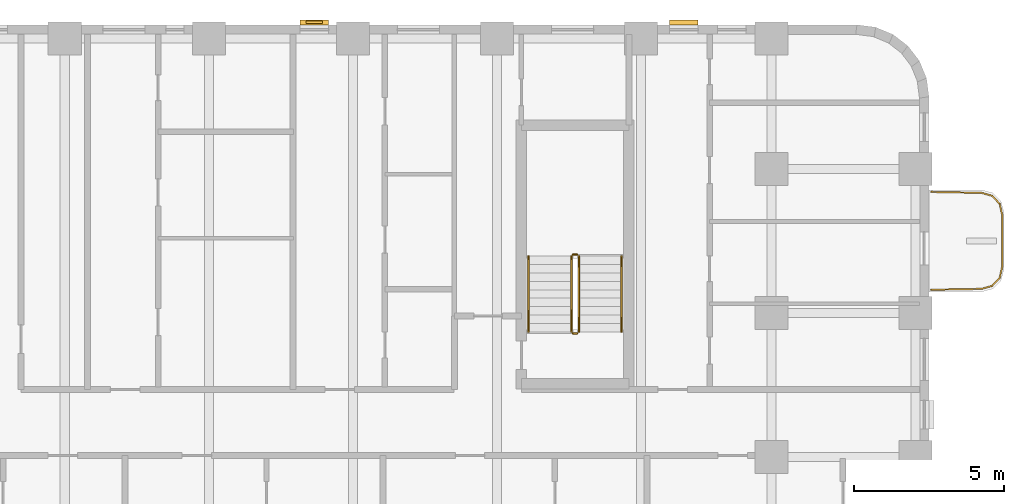
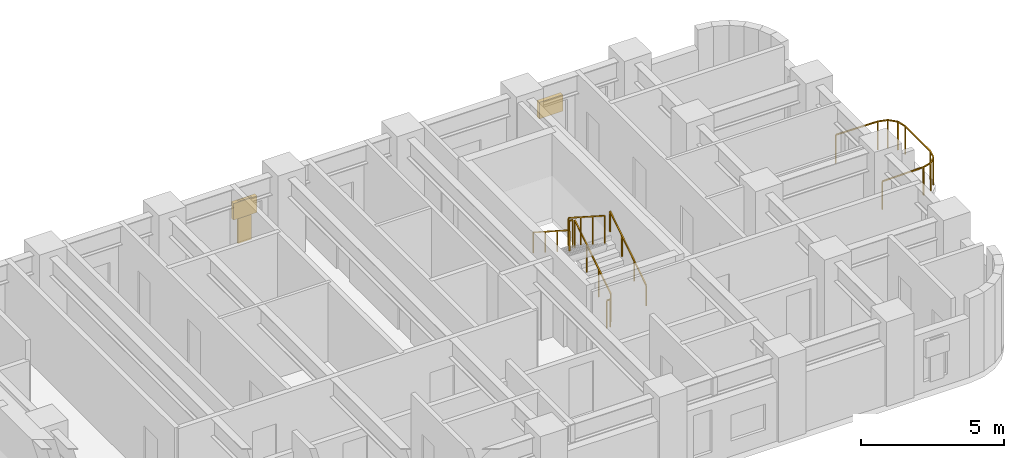
# One storey, part 11 of 11: 7 railings, 3 shading devices.
"""IFC4 building model written with IfcOpenShell, lengths in metres."""

from ifc_helpers import new_model, si_unit, direction, frame, origin, origin_2d, place, context, subcontext, project, spatial, rectangle, extrude, material, type_object, element, save


model = new_model("IFC4")

# Units and contexts
model_context = context("Model", 3, precision=1e-05, world=origin(), true_north=direction((0.0, 1.0)))
body_context = subcontext(model_context, "Body", "Model", "MODEL_VIEW")
ifc_project = project(units=[si_unit("LENGTHUNIT", "METRE"), si_unit("AREAUNIT", "SQUARE_METRE"), si_unit("VOLUMEUNIT", "CUBIC_METRE"), si_unit("PLANEANGLEUNIT", "RADIAN"), si_unit("MASSUNIT", "GRAM", prefix="KILO")], contexts=[model_context])

# Site, building, storey
site_placement = place(None, origin())
site = spatial("IfcSite", under=ifc_project, at=site_placement, CompositionType="ELEMENT")
building_placement = place(site_placement, origin())
building = spatial("IfcBuilding", under=site, at=building_placement, Name="Orvandelia Arch Residences", CompositionType="ELEMENT")
storey_placement = place(building_placement, frame((0.0, 0.0, 86.199951171875)))
storey = spatial("IfcBuildingStorey", under=building, at=storey_placement, Name="L22", CompositionType="ELEMENT", Elevation=86.199951171875)

# Railings
ifc_material_1 = material(Name="Marine-Grade Stainless Steel 316", Category="steel")
railing_type_1 = type_object("IfcRailingType", Name="GRD-BAL-1200", PredefinedType="BALUSTRADE", material=ifc_material_1)
railing_1_placement = place(storey_placement, frame((57.671875, 39.169677734375, 0.0)))
element("IfcRailing", 1, at=railing_1_placement, inside=storey, type_object=railing_type_1, Name="Safety Balustrade Guard GRD-L22-BAL-L22-E1-1", PredefinedType="BALUSTRADE", context=body_context, shape_type="SweptSolid", body=[
    extrude(rectangle(XDim=0.048095703125, YDim=0.048095703125, at=origin_2d()), frame((0.0, 0.0, 1.19580078125), z_axis=(0.999837384468, 0.018033430643, 0.0), x_axis=(-0.018033430643, 0.999837384468, 0.0)), (0.0, 0.0, 1.0), 1.6787109375),
    extrude(rectangle(XDim=0.048095703125, YDim=0.048095703125, at=origin_2d()), frame((1.678466796875, 0.0302734375, 1.19580078125), z_axis=(0.963441293861, 0.267919527627, 0.0), x_axis=(-0.267919527627, 0.963441293861, 0.0)), (0.0, 0.0, 1.0), 0.365478515625),
    extrude(rectangle(XDim=0.048095703125, YDim=0.048095703125, at=origin_2d()), frame((2.030517578125, 0.128173828125, 1.19580078125), z_axis=(0.688296224633, 0.725429739642, 0.0), x_axis=(-0.725429739642, 0.688296224633, 0.0)), (0.0, 0.0, 1.0), 0.3681640625),
    extrude(rectangle(XDim=0.048095703125, YDim=0.048095703125, at=origin_2d()), frame((2.283935546875, 0.395263671875, 1.19580078125), z_axis=(0.221225034864, 0.975222786828, 0.0), x_axis=(-0.975222786828, 0.221225034864, 0.0)), (0.0, 0.0, 1.0), 0.373046875),
    extrude(rectangle(XDim=0.048095703125, YDim=0.048095703125, at=origin_2d()), frame((2.366455078125, 0.759033203125, 1.19580078125), z_axis=(0.0, 1.0, 0.0), x_axis=(-1.0, 0.0, 0.0)), (0.0, 0.0, 1.0), 1.74267578125),
    extrude(rectangle(XDim=0.048095703125, YDim=0.048095703125, at=origin_2d()), frame((2.366455078125, 2.501708984375, 1.19580078125), z_axis=(-0.221225034864, 0.975222786828, 0.0), x_axis=(-0.975222786828, -0.221225034864, 0.0)), (0.0, 0.0, 1.0), 0.373046875),
    extrude(rectangle(XDim=0.048095703125, YDim=0.048095703125, at=origin_2d()), frame((2.283935546875, 2.865478515625, 1.19580078125), z_axis=(-0.688627404251, 0.725115368831, 0.0), x_axis=(-0.725115368831, -0.688627404251, 0.0)), (0.0, 0.0, 1.0), 0.367919921875),
    extrude(rectangle(XDim=0.048095703125, YDim=0.048095703125, at=origin_2d()), frame((2.030517578125, 3.13232421875, 1.19580078125), z_axis=(-0.963441293861, 0.267919527627, 0.0), x_axis=(-0.267919527627, -0.963441293861, 0.0)), (0.0, 0.0, 1.0), 0.365478515625),
    extrude(rectangle(XDim=0.048095703125, YDim=0.048095703125, at=origin_2d()), frame((1.678466796875, 3.230224609375, 1.19580078125), z_axis=(-0.999834751713, 0.018178813668, 0.0), x_axis=(-0.018178813668, -0.999834751713, 0.0)), (0.0, 0.0, 1.0), 1.6787109375),
    extrude(rectangle(XDim=0.0419921875, YDim=0.0419921875, at=origin_2d()), origin(), (0.0, 0.0, 1.0), 1.171875),
    extrude(rectangle(XDim=0.0419921875, YDim=0.0419921875, at=origin_2d()), frame((1.678466796875, 0.0302734375, 0.0)), (0.0, 0.0, 1.0), 1.171875),
    extrude(rectangle(XDim=0.0419921875, YDim=0.0419921875, at=origin_2d()), frame((2.030517578125, 0.128173828125, 0.0)), (0.0, 0.0, 1.0), 1.171875),
    extrude(rectangle(XDim=0.0419921875, YDim=0.0419921875, at=origin_2d()), frame((2.283935546875, 0.395263671875, 0.0)), (0.0, 0.0, 1.0), 1.171875),
    extrude(rectangle(XDim=0.0419921875, YDim=0.0419921875, at=origin_2d()), frame((2.366455078125, 0.759033203125, 0.0)), (0.0, 0.0, 1.0), 1.171875),
    extrude(rectangle(XDim=0.0419921875, YDim=0.0419921875, at=origin_2d()), frame((2.366455078125, 2.501708984375, 0.0)), (0.0, 0.0, 1.0), 1.171875),
    extrude(rectangle(XDim=0.0419921875, YDim=0.0419921875, at=origin_2d()), frame((2.283935546875, 2.865478515625, 0.0)), (0.0, 0.0, 1.0), 1.171875),
    extrude(rectangle(XDim=0.0419921875, YDim=0.0419921875, at=origin_2d()), frame((2.030517578125, 3.13232421875, 0.0)), (0.0, 0.0, 1.0), 1.171875),
    extrude(rectangle(XDim=0.0419921875, YDim=0.0419921875, at=origin_2d()), frame((1.678466796875, 3.230224609375, 0.0)), (0.0, 0.0, 1.0), 1.171875),
    extrude(rectangle(XDim=0.0419921875, YDim=0.0419921875, at=origin_2d()), frame((0.0, 3.2607421875, 0.0)), (0.0, 0.0, 1.0), 1.171875),
])
ifc_material_2 = material(Name="Brushed Stainless Steel 304", Category="steel")
railing_type_2 = type_object("IfcRailingType", Name="RL-STAIR-GD1120", PredefinedType="GUARDRAIL", material=ifc_material_2)
railing_2_placement = place(storey_placement, frame((45.929931640625, 37.77001953125, 0.179931640625)))
element("IfcRailing", 2, at=railing_2_placement, inside=storey, type_object=railing_type_2, Name="L22 ST-3 stair guard 1", PredefinedType="GUARDRAIL", context=body_context, shape_type="SweptSolid", body=[
    extrude(rectangle(XDim=0.048095703125, YDim=0.048095703125, at=origin_2d()), frame((0.0, 0.0, 1.17578125), z_axis=(0.0, 0.841162588446, 0.540782303519), x_axis=(-1.0, 0.0, 0.0)), (0.0, 0.0, 1.0), 2.995849609375),
    extrude(rectangle(XDim=0.0419921875, YDim=0.0419921875, at=origin_2d()), origin(), (0.0, 0.0, 1.0), 1.15185546875),
    extrude(rectangle(XDim=0.0419921875, YDim=0.0419921875, at=origin_2d()), frame((0.0, 0.840087890625, 0.5400390625)), (0.0, 0.0, 1.0), 1.15185546875),
    extrude(rectangle(XDim=0.0419921875, YDim=0.0419921875, at=origin_2d()), frame((0.0, 1.679931640625, 1.080078125)), (0.0, 0.0, 1.0), 1.15185546875),
    extrude(rectangle(XDim=0.0419921875, YDim=0.0419921875, at=origin_2d()), frame((0.0, 2.52001953125, 1.6201171875)), (0.0, 0.0, 1.0), 1.15185546875),
])
railing_3_placement = place(storey_placement, frame((45.8798828125, 40.340087890625, 1.800048828125)))
element("IfcRailing", 3, at=railing_3_placement, inside=storey, type_object=railing_type_2, Name="L22 ST-3 stair guard 2", PredefinedType="GUARDRAIL", context=body_context, shape_type="SweptSolid", body=[
    extrude(rectangle(XDim=0.048095703125, YDim=0.048095703125, at=origin_2d()), frame((0.0, 0.0, 1.17578125), z_axis=(-1.0, 0.0, 0.0), x_axis=(0.0, -1.0, 0.0)), (0.0, 0.0, 1.0), 0.14990234375),
    extrude(rectangle(XDim=0.0419921875, YDim=0.0419921875, at=origin_2d()), origin(), (0.0, 0.0, 1.0), 1.15185546875),
    extrude(rectangle(XDim=0.0419921875, YDim=0.0419921875, at=origin_2d()), frame((-0.14990234375, 0.0, 0.0)), (0.0, 0.0, 1.0), 1.15185546875),
])
railing_4_placement = place(storey_placement, frame((45.679931640625, 40.2900390625, 1.97998046875)))
element("IfcRailing", 4, at=railing_4_placement, inside=storey, type_object=railing_type_2, Name="L22 ST-3 stair guard 3", PredefinedType="GUARDRAIL", context=body_context, shape_type="SweptSolid", body=[
    extrude(rectangle(XDim=0.048095703125, YDim=0.048095703125, at=origin_2d()), frame((0.0, 0.0, 1.17578125), z_axis=(0.0, -0.841162588446, 0.540782303519), x_axis=(1.0, 0.0, 0.0)), (0.0, 0.0, 1.0), 2.995849609375),
    extrude(rectangle(XDim=0.0419921875, YDim=0.0419921875, at=origin_2d()), origin(), (0.0, 0.0, 1.0), 1.15185546875),
    extrude(rectangle(XDim=0.0419921875, YDim=0.0419921875, at=origin_2d()), frame((0.0, -0.840087890625, 0.5400390625)), (0.0, 0.0, 1.0), 1.15185546875),
    extrude(rectangle(XDim=0.0419921875, YDim=0.0419921875, at=origin_2d()), frame((0.0, -1.679931640625, 1.080078125)), (0.0, 0.0, 1.0), 1.15185546875),
    extrude(rectangle(XDim=0.0419921875, YDim=0.0419921875, at=origin_2d()), frame((0.0, -2.52001953125, 1.6201171875)), (0.0, 0.0, 1.0), 1.15185546875),
])
railing_5_placement = place(storey_placement, frame((45.8798828125, 37.719970703125, 0.0)))
element("IfcRailing", 5, at=railing_5_placement, inside=storey, type_object=railing_type_2, Name="L22 ST-3 stair guard 4", PredefinedType="GUARDRAIL", context=body_context, shape_type="SweptSolid", body=[
    extrude(rectangle(XDim=0.048095703125, YDim=0.048095703125, at=origin_2d()), frame((0.0, 0.0, 1.17578125), z_axis=(-1.0, 0.0, 0.0), x_axis=(0.0, -1.0, 0.0)), (0.0, 0.0, 1.0), 0.14990234375),
    extrude(rectangle(XDim=0.0419921875, YDim=0.0419921875, at=origin_2d()), origin(), (0.0, 0.0, 1.0), 1.15185546875),
    extrude(rectangle(XDim=0.0419921875, YDim=0.0419921875, at=origin_2d()), frame((-0.14990234375, 0.0, 0.0)), (0.0, 0.0, 1.0), 1.15185546875),
])
railing_type_3 = type_object("IfcRailingType", Name="RL-STAIR-HR920", PredefinedType="HANDRAIL", material=ifc_material_2)
railing_6_placement = place(storey_placement, frame((47.35009765625, 37.77001953125, 0.360107421875)))
element("IfcRailing", 6, at=railing_6_placement, inside=storey, type_object=railing_type_3, Name="L22 ST-3 stair handrail 1", PredefinedType="HANDRAIL", context=body_context, shape_type="SweptSolid", body=[
    extrude(rectangle(XDim=0.048095703125, YDim=0.048095703125, at=origin_2d()), frame((0.0, 0.0, 0.8759765625), z_axis=(0.0, 0.841199657755, 0.540724639528), x_axis=(-1.0, 0.0, 0.0)), (0.0, 0.0, 1.0), 2.995849609375),
    extrude(rectangle(XDim=0.0419921875, YDim=0.0419921875, at=origin_2d()), origin(), (0.0, 0.0, 1.0), 0.851806640625),
    extrude(rectangle(XDim=0.0419921875, YDim=0.0419921875, at=origin_2d()), frame((0.0, 0.840087890625, 0.5400390625)), (0.0, 0.0, 1.0), 0.851806640625),
    extrude(rectangle(XDim=0.0419921875, YDim=0.0419921875, at=origin_2d()), frame((0.0, 1.679931640625, 1.079833984375)), (0.0, 0.0, 1.0), 0.851806640625),
    extrude(rectangle(XDim=0.0419921875, YDim=0.0419921875, at=origin_2d()), frame((0.0, 2.52001953125, 1.619873046875)), (0.0, 0.0, 1.0), 0.851806640625),
])
railing_7_placement = place(storey_placement, frame((44.260009765625, 40.2900390625, 2.16015625)))
element("IfcRailing", 7, at=railing_7_placement, inside=storey, type_object=railing_type_3, Name="L22 ST-3 stair handrail 2", PredefinedType="HANDRAIL", context=body_context, shape_type="SweptSolid", body=[
    extrude(rectangle(XDim=0.048095703125, YDim=0.048095703125, at=origin_2d()), frame((0.0, 0.0, 0.8759765625), z_axis=(0.0, -0.841199657755, 0.540724639528), x_axis=(1.0, 0.0, 0.0)), (0.0, 0.0, 1.0), 2.995849609375),
    extrude(rectangle(XDim=0.0419921875, YDim=0.0419921875, at=origin_2d()), origin(), (0.0, 0.0, 1.0), 0.851806640625),
    extrude(rectangle(XDim=0.0419921875, YDim=0.0419921875, at=origin_2d()), frame((0.0, -0.840087890625, 0.5400390625)), (0.0, 0.0, 1.0), 0.851806640625),
    extrude(rectangle(XDim=0.0419921875, YDim=0.0419921875, at=origin_2d()), frame((0.0, -1.679931640625, 1.079833984375)), (0.0, 0.0, 1.0), 0.851806640625),
    extrude(rectangle(XDim=0.0419921875, YDim=0.0419921875, at=origin_2d()), frame((0.0, -2.52001953125, 1.619873046875)), (0.0, 0.0, 1.0), 0.851806640625),
])

# Shading devices
ifc_material_3 = material(Name="Anodised Champagne-Bronze Extruded Aluminium", Category="aluminium")
shading_device_type_1 = type_object("IfcShadingDeviceType", Name="SHD-JALOUSIE-SCREEN", PredefinedType="JALOUSIE", material=ifc_material_3)
for number, where, z_axis, x_axis, name in (
    (8, (49.430419921875, 48.080078125, 1.55029296875), (0.0, 0.0, 1.0), (1.0, 0.0, 0.0), "Bronze Jalousie Sun-Shade L22-001"),
    (9, (37.114990234375, 48.080078125, 1.55029296875), (0.0, 0.0, 1.0), (1.0, 0.0, 0.0), "Bronze Jalousie Sun-Shade L22-003"),
):
    element("IfcShadingDevice", number, at=place(storey_placement, frame(where, z_axis=z_axis, x_axis=x_axis)), inside=storey, type_object=shading_device_type_1, Name=name, PredefinedType="JALOUSIE", context=body_context, shape_type="SweptSolid", body=[
        extrude(rectangle(XDim=0.949951171875, YDim=0.159912109375, at=origin_2d()), origin(), (0.0, 0.0, 1.0), 0.699951171875),
    ])
ifc_material_4 = material(Name="Marine-Grade Perforated Aluminium Storm Shutter", Category="aluminium")
shading_device_type_2 = type_object("IfcShadingDeviceType", Name="SHD-STORM-SHUTTER", PredefinedType="SHUTTER", material=ifc_material_4)
shading_device_placement = place(storey_placement, frame((37.114990234375, 48.080078125, 0.4501953125), z_axis=(0.0, 0.0, 1.0), x_axis=(1.0, 0.0, 0.0)))
element("IfcShadingDevice", 10, at=shading_device_placement, inside=storey, type_object=shading_device_type_2, Name="Operable Typhoon Storm Shutter L22-003", PredefinedType="SHUTTER", context=body_context, shape_type="SweptSolid", body=[
    extrude(rectangle(XDim=0.550048828125, YDim=0.080078125, at=origin_2d()), origin(), (0.0, 0.0, 1.0), 1.800048828125),
])

save(model, "model.ifc")
